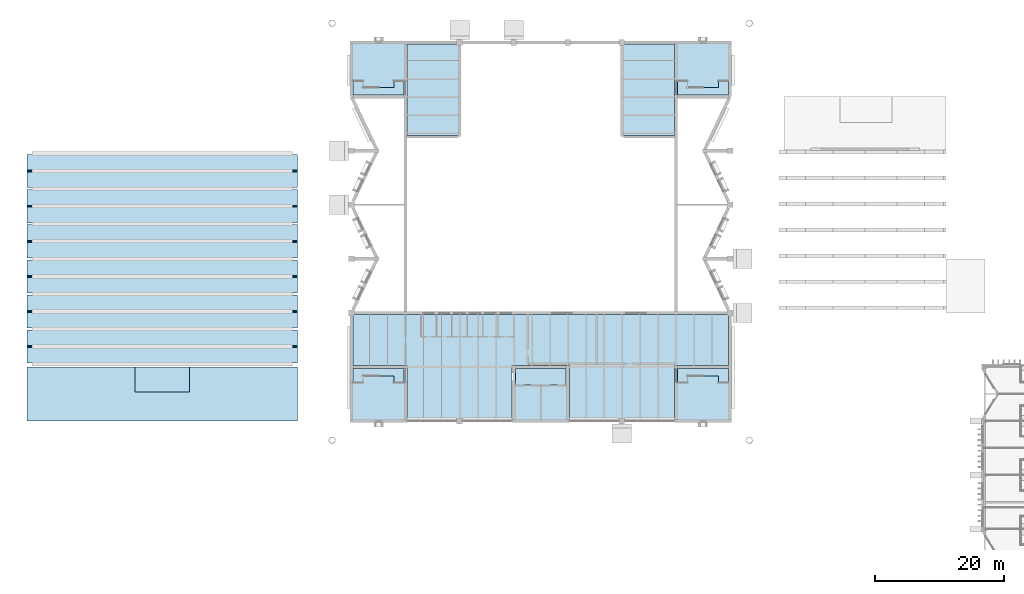
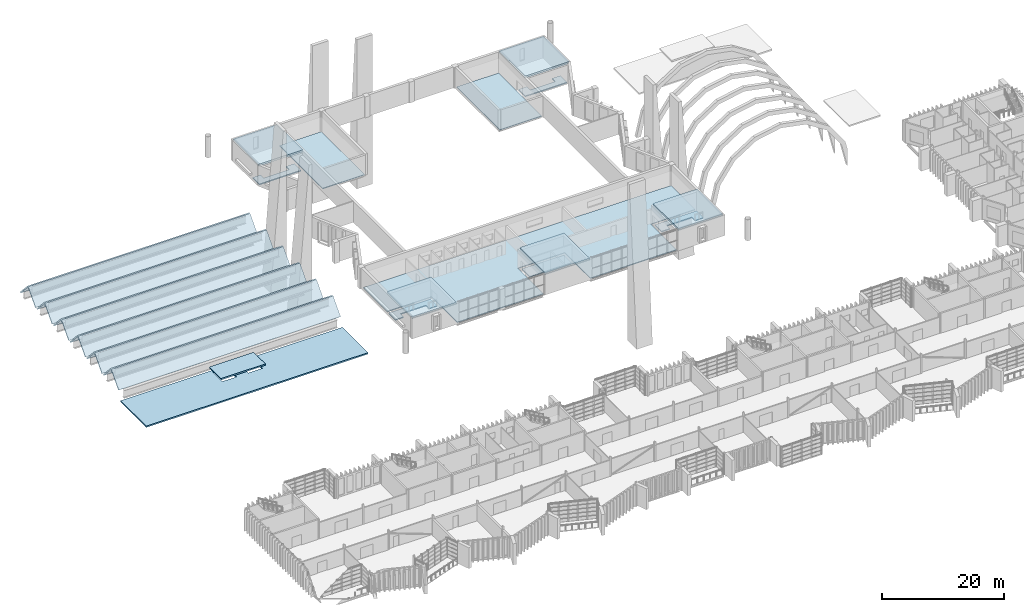
# One storey, part 50 of 88: 27 slabs.
"""IFC4 building model written with IfcOpenShell, lengths in metres."""

from ifc_helpers import new_model, si_unit, direction, frame, origin, place, context, subcontext, project, spatial, polyline, outline, extrude, material, layer, layer_set, type_object, element, save


model = new_model("IFC4")

# Units and contexts
model_context = context("Model", 3, precision=1e-05, world=origin(), true_north=direction((0.0, 1.0)))
body_context = subcontext(model_context, "Body", "Model", "MODEL_VIEW")
ifc_project = project(units=[si_unit("LENGTHUNIT", "METRE"), si_unit("AREAUNIT", "SQUARE_METRE"), si_unit("VOLUMEUNIT", "CUBIC_METRE"), si_unit("PLANEANGLEUNIT", "RADIAN"), si_unit("MASSUNIT", "GRAM", prefix="KILO")], contexts=[model_context])

# Site, building, storey
site_placement = place(None, origin())
site = spatial("IfcSite", under=ifc_project, at=site_placement, CompositionType="ELEMENT")
building_placement = place(site_placement, origin())
building = spatial("IfcBuilding", under=site, at=building_placement, Name="Cresset Court Congress Hotel", CompositionType="ELEMENT")
storey_placement = place(building_placement, frame((0.0, 0.0, 14.39990234375)))
storey = spatial("IfcBuildingStorey", under=building, at=storey_placement, Name="L03", CompositionType="ELEMENT", Elevation=14.39990234375)

# Slabs
ifc_material_1 = material(Name="Concrete C35", Category="concrete")
ifc_layer_1 = layer(ifc_material_1, 0.14990234375)
ifc_layer_set_1 = layer_set([ifc_layer_1], Name="Composite floor slab 150")
slab_type_1 = type_object("IfcSlabType", Name="Composite floor slab 150", PredefinedType="FLOOR", material=ifc_layer_set_1)
slab_1_placement = place(storey_placement, frame((0.0, 0.0, -0.14990234375)))
element("IfcSlab", 1, at=slab_1_placement, inside=storey, type_object=slab_type_1, Name="Slab C-F03", PredefinedType="FLOOR", context=body_context, shape_type="SweptSolid", body=[
    extrude(outline(polyline([(108.949951171875, 59.050048828125), (92.64990234375, 59.050048828125), (92.64990234375, 67.449951171875), (83.75, 67.449951171875), (83.75, 59.050048828125), (67.449951171875, 59.050048828125), (67.449951171875, 67.449951171875), (59.050048828125, 67.449951171875), (59.050048828125, 75.35009765625), (117.35009765625, 75.35009765625), (117.35009765625, 67.449951171875), (108.949951171875, 67.449951171875), (108.949951171875, 59.050048828125)])), origin(), (0.0, 0.0, 1.0), 0.14990234375),
])
slab_2_placement = place(storey_placement, frame((0.0, 0.0, -0.14990234375)))
element("IfcSlab", 2, at=slab_2_placement, inside=storey, type_object=slab_type_1, Name="Slab C-W103", PredefinedType="FLOOR", context=body_context, shape_type="SweptSolid", body=[
    extrude(outline(polyline([(75.39990234375, 103.199951171875), (75.39990234375, 117.35009765625), (67.449951171875, 117.35009765625), (67.449951171875, 103.199951171875), (75.39990234375, 103.199951171875)])), origin(), (0.0, 0.0, 1.0), 0.14990234375),
])
slab_3_placement = place(storey_placement, frame((0.0, 0.0, -0.14990234375)))
element("IfcSlab", 3, at=slab_3_placement, inside=storey, type_object=slab_type_1, Name="Slab C-W203", PredefinedType="FLOOR", context=body_context, shape_type="SweptSolid", body=[
    extrude(outline(polyline([(108.949951171875, 103.199951171875), (108.949951171875, 117.35009765625), (101.0, 117.35009765625), (101.0, 103.199951171875), (108.949951171875, 103.199951171875)])), origin(), (0.0, 0.0, 1.0), 0.14990234375),
])
ifc_material_2 = material(Name="Concrete C35", Category="concrete")
ifc_layer_2 = layer(ifc_material_2, 0.14990234375)
ifc_layer_set_2 = layer_set([ifc_layer_2], Name="Core floor slab 150")
slab_type_2 = type_object("IfcSlabType", Name="Core floor slab 150", PredefinedType="FLOOR", material=ifc_layer_set_2)
slab_4_placement = place(storey_placement, frame((0.0, 0.0, -0.14990234375)))
element("IfcSlab", 4, at=slab_4_placement, inside=storey, type_object=slab_type_2, Name="Slab CL-L03", PredefinedType="FLOOR", context=body_context, shape_type="SweptSolid", body=[
    extrude(outline(polyline([(92.14990234375, 64.39990234375), (92.14990234375, 66.949951171875), (84.25, 66.949951171875), (84.25, 64.39990234375), (92.14990234375, 64.39990234375)])), origin(), (0.0, 0.0, 1.0), 0.14990234375),
])
ifc_material_3 = material(Name="Concrete C35", Category="concrete")
ifc_layer_3 = layer(ifc_material_3, 0.39990234375)
ifc_layer_set_3 = layer_set([ifc_layer_3], Name="Core roof slab 400")
slab_type_3 = type_object("IfcSlabType", Name="Core roof slab 400", PredefinedType="ROOF", material=ifc_layer_set_3)
slab_5_placement = place(storey_placement, frame((0.0, 0.0, 3.800048828125)))
element("IfcSlab", 5, at=slab_5_placement, inside=storey, type_object=slab_type_3, Name="Slab CC-C1R", PredefinedType="ROOF", context=body_context, shape_type="SweptSolid", body=[
    extrude(outline(polyline([(67.199951171875, 58.800048828125), (67.199951171875, 67.199951171875), (58.800048828125, 67.199951171875), (58.800048828125, 58.800048828125), (67.199951171875, 58.800048828125)])), origin(), (0.0, 0.0, 1.0), 0.400146484375),
])
slab_6_placement = place(storey_placement, frame((0.0, 0.0, 3.800048828125)))
element("IfcSlab", 6, at=slab_6_placement, inside=storey, type_object=slab_type_3, Name="Slab CC-C2R", PredefinedType="ROOF", context=body_context, shape_type="SweptSolid", body=[
    extrude(outline(polyline([(117.60009765625, 58.800048828125), (117.60009765625, 67.199951171875), (109.199951171875, 67.199951171875), (109.199951171875, 58.800048828125), (117.60009765625, 58.800048828125)])), origin(), (0.0, 0.0, 1.0), 0.400146484375),
])
slab_7_placement = place(storey_placement, frame((0.0, 0.0, 3.800048828125)))
element("IfcSlab", 7, at=slab_7_placement, inside=storey, type_object=slab_type_3, Name="Slab CC-C3R", PredefinedType="ROOF", context=body_context, shape_type="SweptSolid", body=[
    extrude(outline(polyline([(67.199951171875, 109.199951171875), (67.199951171875, 117.60009765625), (58.800048828125, 117.60009765625), (58.800048828125, 109.199951171875), (67.199951171875, 109.199951171875)])), origin(), (0.0, 0.0, 1.0), 0.400146484375),
])
slab_8_placement = place(storey_placement, frame((0.0, 0.0, 3.800048828125)))
element("IfcSlab", 8, at=slab_8_placement, inside=storey, type_object=slab_type_3, Name="Slab CC-C4R", PredefinedType="ROOF", context=body_context, shape_type="SweptSolid", body=[
    extrude(outline(polyline([(117.60009765625, 109.199951171875), (117.60009765625, 117.60009765625), (109.199951171875, 117.60009765625), (109.199951171875, 109.199951171875), (117.60009765625, 109.199951171875)])), origin(), (0.0, 0.0, 1.0), 0.400146484375),
])
slab_9_placement = place(storey_placement, frame((0.0, 0.0, 3.800048828125)))
element("IfcSlab", 9, at=slab_9_placement, inside=storey, type_object=slab_type_3, Name="Slab CL-R", PredefinedType="ROOF", context=body_context, shape_type="SweptSolid", body=[
    extrude(outline(polyline([(92.39990234375, 58.800048828125), (92.39990234375, 67.199951171875), (84.0, 67.199951171875), (84.0, 58.800048828125), (92.39990234375, 58.800048828125)])), origin(), (0.0, 0.0, 1.0), 0.400146484375),
])
ifc_material_4 = material(Name="Concrete C35", Category="concrete")
ifc_layer_4 = layer(ifc_material_4, 0.199951171875)
ifc_layer_set_4 = layer_set([ifc_layer_4], Name="Core stair floor slab 200")
slab_type_4 = type_object("IfcSlabType", Name="Core stair floor slab 200", PredefinedType="FLOOR", material=ifc_layer_set_4)
slab_10_placement = place(storey_placement, frame((0.0, 0.0, -0.199951171875)))
element("IfcSlab", 10, at=slab_10_placement, inside=storey, type_object=slab_type_4, Name="Stair landing slab CC-C1L03", PredefinedType="FLOOR", context=body_context, shape_type="SweptSolid", body=[
    extrude(outline(polyline([(60.60009765625, 64.75), (59.050048828125, 64.75), (59.050048828125, 65.79931640625), (59.050048828125, 66.949951171875), (60.60009765625, 66.949951171875), (65.39990234375, 66.949951171875), (66.949951171875, 66.949951171875), (66.949951171875, 65.79931640625), (66.949951171875, 64.75), (65.39990234375, 64.75), (65.39990234375, 65.79931640625), (60.60009765625, 65.79931640625), (60.60009765625, 64.75)])), origin(), (0.0, 0.0, 1.0), 0.199951171875),
])
slab_11_placement = place(storey_placement, frame((0.0, 0.0, -0.199951171875)))
element("IfcSlab", 11, at=slab_11_placement, inside=storey, type_object=slab_type_4, Name="Stair landing slab CC-C2L03", PredefinedType="FLOOR", context=body_context, shape_type="SweptSolid", body=[
    extrude(outline(polyline([(111.0, 64.75), (109.449951171875, 64.75), (109.449951171875, 65.79931640625), (109.449951171875, 66.949951171875), (111.0, 66.949951171875), (115.800048828125, 66.949951171875), (117.35009765625, 66.949951171875), (117.35009765625, 65.79931640625), (117.35009765625, 64.75), (115.800048828125, 64.75), (115.800048828125, 65.79931640625), (111.0, 65.79931640625), (111.0, 64.75)])), origin(), (0.0, 0.0, 1.0), 0.199951171875),
])
slab_12_placement = place(storey_placement, frame((0.0, 0.0, -0.199951171875)))
element("IfcSlab", 12, at=slab_12_placement, inside=storey, type_object=slab_type_4, Name="Stair landing slab CC-C3L03", PredefinedType="FLOOR", context=body_context, shape_type="SweptSolid", body=[
    extrude(outline(polyline([(66.949951171875, 109.449951171875), (65.39990234375, 109.449951171875), (60.60009765625, 109.449951171875), (59.050048828125, 109.449951171875), (59.050048828125, 110.600830078125), (59.050048828125, 111.64990234375), (60.60009765625, 111.64990234375), (60.60009765625, 110.600830078125), (65.39990234375, 110.600830078125), (65.39990234375, 111.64990234375), (66.949951171875, 111.64990234375), (66.949951171875, 110.600830078125), (66.949951171875, 109.449951171875)])), origin(), (0.0, 0.0, 1.0), 0.199951171875),
])
slab_13_placement = place(storey_placement, frame((0.0, 0.0, -0.199951171875)))
element("IfcSlab", 13, at=slab_13_placement, inside=storey, type_object=slab_type_4, Name="Stair landing slab CC-C4L03", PredefinedType="FLOOR", context=body_context, shape_type="SweptSolid", body=[
    extrude(outline(polyline([(117.35009765625, 109.449951171875), (115.800048828125, 109.449951171875), (111.0, 109.449951171875), (109.449951171875, 109.449951171875), (109.449951171875, 110.600830078125), (109.449951171875, 111.64990234375), (111.0, 111.64990234375), (111.0, 110.600830078125), (115.800048828125, 110.600830078125), (115.800048828125, 111.64990234375), (117.35009765625, 111.64990234375), (117.35009765625, 110.600830078125), (117.35009765625, 109.449951171875)])), origin(), (0.0, 0.0, 1.0), 0.199951171875),
])
ifc_material_5 = material(Name="Precast concrete C50", Category="concrete")
ifc_layer_5 = layer(ifc_material_5, 0.199951171875)
ifc_layer_set_5 = layer_set([ifc_layer_5], Name="Precast folded roof plate 200 C50")
slab_type_5 = type_object("IfcSlabType", Name="Precast folded roof plate 200 C50", PredefinedType="ROOF", material=ifc_layer_set_5)
for number, where, z_axis, x_axis, name in (
    (14, (8.39990234375, 67.800048828125, 1.76513671875), (0.0, -0.740237093807, 0.672345926553), (1.0, 0.0, 0.0), "Folded roof plate 1"),
    (15, (8.39990234375, 70.52490234375, 4.43505859375), (0.0, 0.740237093807, 0.672345926553), (1.0, 0.0, 0.0), "Folded roof plate 2"),
    (16, (8.39990234375, 73.25, 1.76513671875), (0.0, -0.740237093807, 0.672345926553), (1.0, 0.0, 0.0), "Folded roof plate 3"),
):
    element("IfcSlab", number, at=place(storey_placement, frame(where, z_axis=z_axis, x_axis=x_axis)), inside=storey, type_object=slab_type_5, Name=name, PredefinedType="ROOF", context=body_context, shape_type="SweptSolid", body=[
        extrude(outline(polyline([(0.0, 0.0), (42.0, 0.0), (42.0, 3.606846910723264), (0.0, 3.606846910723264), (0.0, 0.0)])), origin(), (0.0, 0.0, -1.0), 0.199951171875),
    ])
slab_14_placement = place(storey_placement, frame((8.39990234375, 75.97509765625, 4.43505859375), z_axis=(0.0, 0.740270782468, 0.67230883426), x_axis=(1.0, 0.0, 0.0)))
element("IfcSlab", 17, at=slab_14_placement, inside=storey, type_object=slab_type_5, Name="Folded roof plate 4", PredefinedType="ROOF", context=body_context, shape_type="SweptSolid", body=[
    extrude(outline(polyline([(0.0, 0.0), (42.0, 0.0), (42.0, 3.606682768296304), (0.0, 3.606682768296304), (0.0, 0.0)])), origin(), (0.0, 0.0, -1.0), 0.199951171875),
])
for number, where, z_axis, x_axis, name in (
    (18, (8.39990234375, 78.699951171875, 1.76513671875), (0.0, -0.740237093807, 0.672345926553), (1.0, 0.0, 0.0), "Folded roof plate 5"),
    (19, (8.39990234375, 81.425048828125, 4.43505859375), (0.0, 0.740237093807, 0.672345926553), (1.0, 0.0, 0.0), "Folded roof plate 6"),
    (20, (8.39990234375, 84.14990234375, 1.76513671875), (0.0, -0.740237093807, 0.672345926553), (1.0, 0.0, 0.0), "Folded roof plate 7"),
    (21, (8.39990234375, 86.875, 4.43505859375), (0.0, 0.740237093807, 0.672345926553), (1.0, 0.0, 0.0), "Folded roof plate 8"),
):
    element("IfcSlab", number, at=place(storey_placement, frame(where, z_axis=z_axis, x_axis=x_axis)), inside=storey, type_object=slab_type_5, Name=name, PredefinedType="ROOF", context=body_context, shape_type="SweptSolid", body=[
        extrude(outline(polyline([(0.0, 0.0), (42.0, 0.0), (42.0, 3.606846910723264), (0.0, 3.606846910723264), (0.0, 0.0)])), origin(), (0.0, 0.0, -1.0), 0.199951171875),
    ])
slab_15_placement = place(storey_placement, frame((8.39990234375, 89.60009765625, 1.76513671875), z_axis=(0.0, -0.740270782468, 0.67230883426), x_axis=(1.0, 0.0, 0.0)))
element("IfcSlab", 22, at=slab_15_placement, inside=storey, type_object=slab_type_5, Name="Folded roof plate 9", PredefinedType="ROOF", context=body_context, shape_type="SweptSolid", body=[
    extrude(outline(polyline([(0.0, 0.0), (42.0, 0.0), (42.0, 3.606682768296304), (0.0, 3.606682768296304), (0.0, 0.0)])), origin(), (0.0, 0.0, -1.0), 0.199951171875),
])
for number, where, z_axis, x_axis, name in (
    (23, (8.39990234375, 92.324951171875, 4.43505859375), (0.0, 0.740237093807, 0.672345926553), (1.0, 0.0, 0.0), "Folded roof plate 10"),
    (24, (8.39990234375, 95.050048828125, 1.76513671875), (0.0, -0.740237093807, 0.672345926553), (1.0, 0.0, 0.0), "Folded roof plate 11"),
    (25, (8.39990234375, 97.77490234375, 4.43505859375), (0.0, 0.740237093807, 0.672345926553), (1.0, 0.0, 0.0), "Folded roof plate 12"),
):
    element("IfcSlab", number, at=place(storey_placement, frame(where, z_axis=z_axis, x_axis=x_axis)), inside=storey, type_object=slab_type_5, Name=name, PredefinedType="ROOF", context=body_context, shape_type="SweptSolid", body=[
        extrude(outline(polyline([(0.0, 0.0), (42.0, 0.0), (42.0, 3.606846910723264), (0.0, 3.606846910723264), (0.0, 0.0)])), origin(), (0.0, 0.0, -1.0), 0.199951171875),
    ])
ifc_material_6 = material(Name="Concrete C35", Category="concrete")
ifc_layer_6 = layer(ifc_material_6, 0.280029296875)
ifc_layer_set_6 = layer_set([ifc_layer_6], Name="RC roof plate 280 C35")
slab_type_6 = type_object("IfcSlabType", Name="RC roof plate 280 C35", PredefinedType="ROOF", material=ifc_layer_set_6)
slab_16_placement = place(storey_placement, frame((0.0, 0.0, -0.27978515625)))
element("IfcSlab", 26, at=slab_16_placement, inside=storey, type_object=slab_type_6, Name="Foyer roof plate", PredefinedType="ROOF", context=body_context, shape_type="SweptSolid", body=[
    extrude(outline(polyline([(8.39990234375, 58.800048828125), (50.39990234375, 58.800048828125), (50.39990234375, 67.199951171875), (8.39990234375, 67.199951171875), (8.39990234375, 58.800048828125)]), holes=[polyline([(25.60009765625, 63.60009765625), (28.300048828125, 63.60009765625), (28.300048828125, 66.800048828125), (25.60009765625, 66.800048828125), (25.60009765625, 63.60009765625)]), polyline([(30.5, 63.60009765625), (33.199951171875, 63.60009765625), (33.199951171875, 66.800048828125), (30.5, 66.800048828125), (30.5, 63.60009765625)])]), origin(), (0.0, 0.0, 1.0), 0.27978515625),
])
slab_17_placement = place(storey_placement, frame((0.0, 0.0, 0.60009765625)))
element("IfcSlab", 27, at=slab_17_placement, inside=storey, type_object=slab_type_6, Name="Lift overrun roof", PredefinedType="ROOF", context=body_context, shape_type="SweptSolid", body=[
    extrude(outline(polyline([(25.199951171875, 63.35009765625), (33.60009765625, 63.35009765625), (33.60009765625, 67.199951171875), (25.199951171875, 67.199951171875), (25.199951171875, 63.35009765625)])), origin(), (0.0, 0.0, 1.0), 0.280029296875),
])

save(model, "model.ifc")
